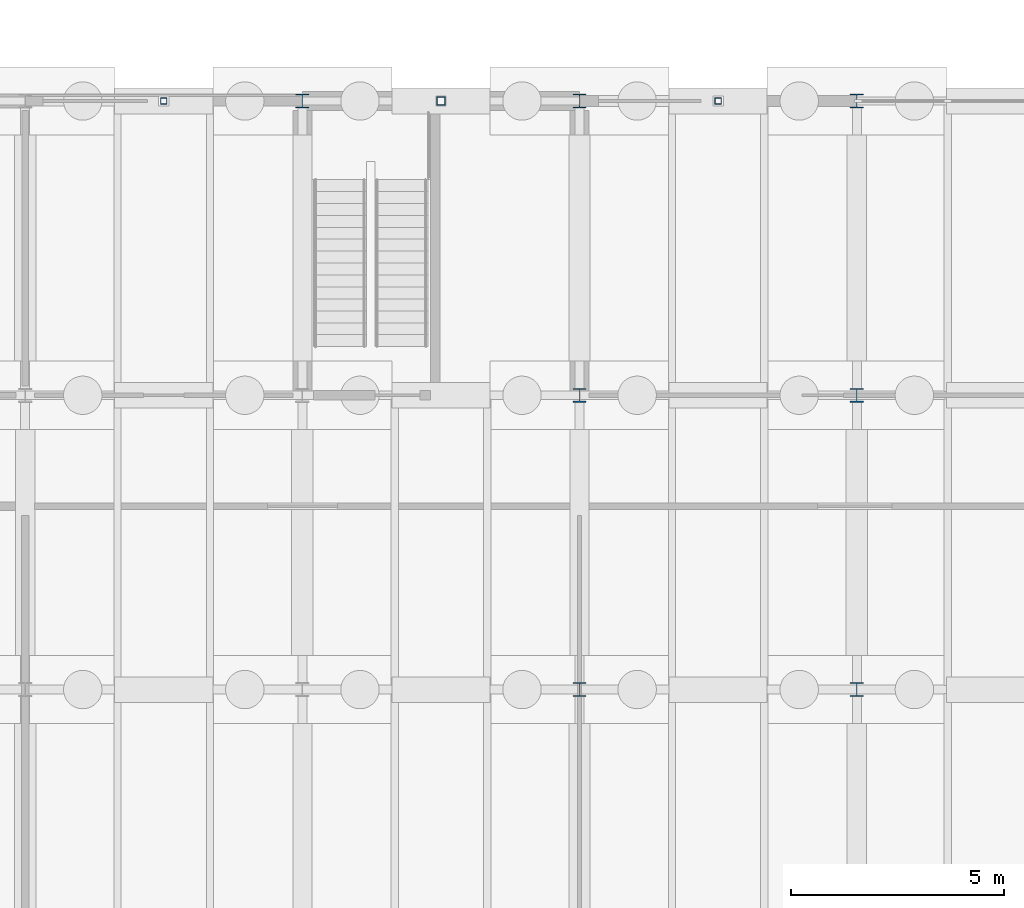
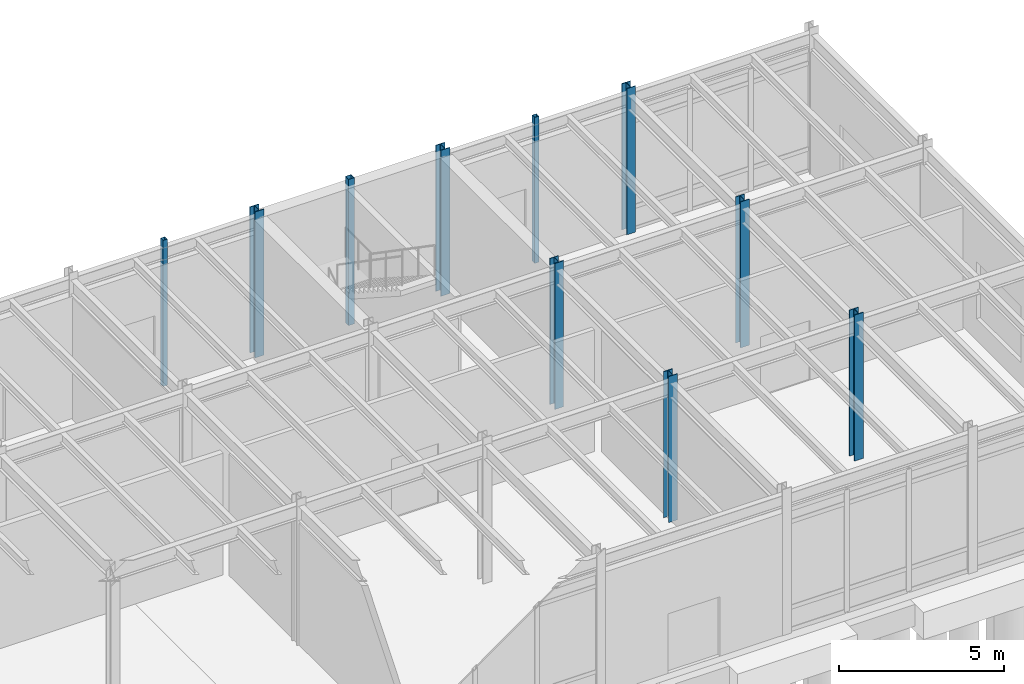
# One storey, part 28 of 82: 10 columns.
"""IFC4 building model written with IfcOpenShell, lengths in metres."""

import ifcopenshell
import ifcopenshell.guid

model = None  # the IFC model being written
_history = None  # IfcOwnerHistory: only IFC2X3 demands one
_inside = {}  # id of a spatial element -> (the spatial element, [elements in it])
_under = {}  # id of a project, library or spatial element -> (it, [spatial elements below it])
_declared = {}  # id of a project -> (the project, [libraries it declares])
_typed = {}  # id of a type object -> (the type object, [elements of that type])
_made_of = {}  # id of a material, layer set ... -> (it, [elements and type objects made of it])


def new_model(schema):
    """Start an empty IFC model of exactly this schema.

    Asked for "IFC4X3", IfcOpenShell would pick the latest addendum, in which some entities
    have other attributes; the version numbers below select the first issue.
    IFC2X3 requires an IfcOwnerHistory on every rooted entity: one is made here for all.
    """
    global model, _history
    if schema == "IFC4X3":
        model = ifcopenshell.file(schema_version=(4, 3, 0, 0))
    else:
        model = ifcopenshell.file(schema=schema)
    _inside.clear()
    _under.clear()
    _declared.clear()
    _typed.clear()
    _made_of.clear()
    _history = None
    if model.schema == "IFC2X3":
        org = make("IfcOrganization", Name="unknown")
        user = make(
            "IfcPersonAndOrganization",
            ThePerson=make("IfcPerson", FamilyName="unknown"),
            TheOrganization=org,
        )
        app = make(
            "IfcApplication",
            ApplicationDeveloper=org,
            Version="unknown",
            ApplicationFullName="unknown",
            ApplicationIdentifier="unknown",
        )
        _history = make(
            "IfcOwnerHistory",
            OwningUser=user,
            OwningApplication=app,
            ChangeAction="ADDED",
            CreationDate=0,
        )
    return model


def make(cls, **values):
    """One entity of the class cls with the attributes given. An attribute that is None is left unset."""
    return model.create_entity(
        cls, **{name: value for name, value in values.items() if value is not None}
    )


def rooted(cls, **values):
    """An entity with a GlobalId (a new one), such as an element, a storey or a relation."""
    return make(cls, GlobalId=ifcopenshell.guid.new(), OwnerHistory=_history, **values)


def si_unit(unit_type, name, prefix=None):
    """IfcSIUnit, for example si_unit("LENGTHUNIT", "METRE", prefix="MILLI")."""
    return make("IfcSIUnit", UnitType=unit_type, Prefix=prefix, Name=name)


def assignment(units):
    """IfcUnitAssignment: the units of a project."""
    return None if units is None else make("IfcUnitAssignment", Units=units)


def point(xyz):
    """IfcCartesianPoint."""
    return None if xyz is None else make("IfcCartesianPoint", Coordinates=xyz)


def direction(xyz):
    """IfcDirection."""
    return None if xyz is None else make("IfcDirection", DirectionRatios=xyz)


def frame(location, z_axis=None, x_axis=None):
    """IfcAxis2Placement3D, a coordinate frame: its origin and axes. An axis left out is left unset."""
    return make(
        "IfcAxis2Placement3D",
        Location=point(location),
        Axis=direction(z_axis),
        RefDirection=direction(x_axis),
    )


def frame_2d(location, x_axis=None):
    """IfcAxis2Placement2D, a coordinate frame in the plane: its origin and x axis."""
    return make(
        "IfcAxis2Placement2D", Location=point(location), RefDirection=direction(x_axis)
    )


def origin():
    """The frame at (0, 0, 0) with its axes left unset."""
    return frame((0.0, 0.0, 0.0))


def origin_2d():
    """The frame at (0, 0) in the plane with its x axis left unset."""
    return frame_2d((0.0, 0.0))


def place(relative_to, where):
    """IfcLocalPlacement: puts the frame where relative to a parent placement (None: the world)."""
    return make(
        "IfcLocalPlacement", PlacementRelTo=relative_to, RelativePlacement=where
    )


def context(
    kind, dimensions, precision=None, world=None, true_north=None, identifier=None
):
    """IfcGeometricRepresentationContext, for example the 3D "Model" context."""
    return make(
        "IfcGeometricRepresentationContext",
        ContextIdentifier=identifier,
        ContextType=kind,
        CoordinateSpaceDimension=dimensions,
        Precision=precision,
        WorldCoordinateSystem=world,
        TrueNorth=true_north,
    )


def subcontext(parent, identifier, kind, view, scale=None):
    """IfcGeometricRepresentationSubContext, for example "Body" below "Model"."""
    return make(
        "IfcGeometricRepresentationSubContext",
        ContextIdentifier=identifier,
        ContextType=kind,
        ParentContext=parent,
        TargetScale=scale,
        TargetView=view,
    )


def project(units=None, contexts=None):
    """IfcProject with its units and contexts."""
    return rooted(
        "IfcProject",
        Name="project",
        RepresentationContexts=contexts,
        UnitsInContext=assignment(units),
    )


def spatial(cls, under=None, at=None, **own):
    """A site, building, storey or space (cls), placed at a placement, below another one or the project."""
    s = rooted(cls, ObjectPlacement=at, **own)
    if under is not None:
        _under.setdefault(under.id(), (under, []))[1].append(s)
    return s


def profile(cls, at=None, kind="AREA", **sizes):
    """A parametric profile (cls). Its sizes go by their IFC names, for example OverallWidth=200.0."""
    return make(cls, ProfileType=kind, Position=at, **sizes)


def hollow_rectangle(**sizes):
    """IfcRectangleHollowProfileDef."""
    return profile("IfcRectangleHollowProfileDef", **sizes)


def i_section(**sizes):
    """IfcIShapeProfileDef."""
    return profile("IfcIShapeProfileDef", **sizes)


def extrude(swept, where, along, depth):
    """IfcExtrudedAreaSolid: the profile swept, set in the frame where, extruded along a direction by depth."""
    return make(
        "IfcExtrudedAreaSolid",
        SweptArea=swept,
        Position=where,
        ExtrudedDirection=direction(along),
        Depth=depth,
    )


def shape(context_of_items, identifier, shape_type, items):
    """IfcShapeRepresentation: the items that make up one representation, for example the "Body"."""
    return make(
        "IfcShapeRepresentation",
        ContextOfItems=context_of_items,
        RepresentationIdentifier=identifier,
        RepresentationType=shape_type,
        Items=items,
    )


def material(Name=None, Category=None):
    """IfcMaterial."""
    return make("IfcMaterial", Name=Name, Category=Category)


def material_profile(
    of_material, cross_section, Name=None, Category=None, Priority=None
):
    """IfcMaterialProfile: a cross section and its material."""
    return make(
        "IfcMaterialProfile",
        Name=Name,
        Material=of_material,
        Profile=cross_section,
        Priority=Priority,
        Category=Category,
    )


def profile_set(profiles, Name=None, composite=None):
    """IfcMaterialProfileSet."""
    return make(
        "IfcMaterialProfileSet",
        Name=Name,
        MaterialProfiles=profiles,
        CompositeProfile=composite,
    )


def made_of(thing, what):
    """Note that an element or type object is made of a material, layer set ...; save() writes the relation."""
    if what is not None:
        _made_of.setdefault(what.id(), (what, []))[1].append(thing)
    return thing


def type_object(cls, material=None, **own):
    """A type object (cls), such as IfcWallType, which elements share."""
    return made_of(rooted(cls, **own), material)


def element(
    cls,
    number,
    at=None,
    inside=None,
    cuts=None,
    type_object=None,
    material=None,
    context=None,
    identifier="Body",
    shape_type=None,
    held_by="IfcProductDefinitionShape",
    body=None,
    shapes=None,
    **own,
):
    """One element of the class cls, such as IfcWall. Its Tag is "e" and its number.

    at: its placement. inside: the storey or other place that contains it. cuts: it is an
    opening in that element (IfcRelVoidsElement). A single representation is given by context,
    identifier, shape_type and body (its items); several are given by shapes. held_by: the class
    of the entity that holds the representations. save() writes the other relations.
    """
    e = rooted(cls, Tag="e%d" % number, ObjectPlacement=at, **own)
    if body is not None:
        shapes = [shape(context, identifier, shape_type, body)]
    if shapes is not None:
        e.Representation = make(held_by, Representations=shapes)
    if inside is not None:
        _inside.setdefault(inside.id(), (inside, []))[1].append(e)
    if cuts is not None:
        rooted(
            "IfcRelVoidsElement", RelatingBuildingElement=cuts, RelatedOpeningElement=e
        )
    if type_object is not None:
        _typed.setdefault(type_object.id(), (type_object, []))[1].append(e)
    return made_of(e, material)


def aggregate(whole, parts):
    """IfcRelAggregates: a whole, such as a stair, and the parts it consists of."""
    return rooted("IfcRelAggregates", RelatingObject=whole, RelatedObjects=parts)


def save(model, path):
    """Write the relations noted so far, then the file.

    IfcRelAggregates (storeys below a building ...), IfcRelContainedInSpatialStructure (elements
    in a storey), IfcRelDefinesByType, IfcRelAssociatesMaterial and IfcRelDeclares: one each for
    every whole, place, type object, material and project.
    """
    for whole, parts in _under.values():
        aggregate(whole, parts)
    for where, things in _inside.values():
        rooted(
            "IfcRelContainedInSpatialStructure",
            RelatedElements=things,
            RelatingStructure=where,
        )
    for kind, things in _typed.values():
        rooted("IfcRelDefinesByType", RelatedObjects=things, RelatingType=kind)
    for what, things in _made_of.values():
        rooted("IfcRelAssociatesMaterial", RelatedObjects=things, RelatingMaterial=what)
    for by, libraries in _declared.values():
        rooted("IfcRelDeclares", RelatingContext=by, RelatedDefinitions=libraries)
    model.write(path)


model = new_model("IFC4")

# Units and contexts
model_context = context("Model", 3, precision=1e-05, world=origin(), true_north=direction((0.0, 1.0)))
body_context = subcontext(model_context, "Body", "Model", "MODEL_VIEW")
ifc_project = project(units=[si_unit("LENGTHUNIT", "METRE"), si_unit("AREAUNIT", "SQUARE_METRE"), si_unit("VOLUMEUNIT", "CUBIC_METRE"), si_unit("PLANEANGLEUNIT", "RADIAN"), si_unit("MASSUNIT", "GRAM", prefix="KILO")], contexts=[model_context])

# Site, building, storey
site_placement = place(None, origin())
site = spatial("IfcSite", under=ifc_project, at=site_placement, CompositionType="ELEMENT")
building_placement = place(site_placement, origin())
building = spatial("IfcBuilding", under=site, at=building_placement, Name="Trelmorton Wharf Fire Station", CompositionType="ELEMENT")
storey_placement = place(building_placement, origin())
storey = spatial("IfcBuildingStorey", under=building, at=storey_placement, Name="L00", CompositionType="ELEMENT", Elevation=0.0)

# Columns
ifc_material_1 = material(Name="Steel Grade 350", Category="steel")
ifc_material_profile_1 = material_profile(ifc_material_1, i_section(OverallWidth=0.31103515625, OverallDepth=0.326904296875, WebThickness=0.015625, FlangeThickness=0.02490234375, FilletRadius=0.0166015625, at=origin_2d()), Name="310UC158")
ifc_profile_set_1 = profile_set([ifc_material_profile_1], Name="Steel Grade 350")
column_type_1 = type_object("IfcColumnType", Name="COL_310UC158", PredefinedType="COLUMN", material=ifc_profile_set_1)
for number, where, z_axis, x_axis, name in (
    (1, (143.0, 81.0, 0.0), (0.0, 0.0, 1.0), (1.0, 0.0, 0.0), "COL-L00-0218"),
    (2, (149.5, 67.199951171875, 0.0), (0.0, 0.0, 1.0), (1.0, 0.0, 0.0), "COL-L00-0225"),
    (3, (149.5, 74.10009765625, 0.0), (0.0, 0.0, 1.0), (1.0, 0.0, 0.0), "COL-L00-0226"),
    (4, (149.5, 81.0, 0.0), (0.0, 0.0, 1.0), (1.0, 0.0, 0.0), "COL-L00-0227"),
    (5, (156.0, 67.199951171875, 0.0), (0.0, 0.0, 1.0), (1.0, 0.0, 0.0), "COL-L00-0234"),
    (6, (156.0, 74.10009765625, 0.0), (0.0, 0.0, 1.0), (1.0, 0.0, 0.0), "COL-L00-0235"),
    (7, (156.0, 81.0, 0.0), (0.0, 0.0, 1.0), (1.0, 0.0, 0.0), "COL-L00-0236"),
):
    element("IfcColumn", number, at=place(storey_placement, frame(where, z_axis=z_axis, x_axis=x_axis)), inside=storey, type_object=column_type_1, Name=name, PredefinedType="COLUMN", context=body_context, shape_type="SweptSolid", body=[
        extrude(i_section(OverallWidth=0.31103515625, OverallDepth=0.326904296875, WebThickness=0.015625, FlangeThickness=0.02490234375, FilletRadius=0.0166015625, at=origin_2d()), origin(), (0.0, 0.0, 1.0), 5.39990234375),
    ])
ifc_material_2 = material(Name="Steel C350L0 (350 MPa)", Category="steel")
ifc_material_profile_2 = material_profile(ifc_material_2, hollow_rectangle(XDim=0.14990234375, YDim=0.14990234375, WallThickness=0.009033203125, at=origin_2d()), Name="150x150x9.0SHS")
ifc_profile_set_2 = profile_set([ifc_material_profile_2], Name="Steel C350L0 (350 MPa)")
column_type_2 = type_object("IfcColumnType", Name="PIL_150SHS", PredefinedType="PILASTER", material=ifc_profile_set_2)
for number, where, z_axis, x_axis, name in (
    (8, (139.75, 81.0, 0.0), (0.0, 0.0, 1.0), (1.0, 0.0, 0.0), "PIL-N-L00-025"),
    (9, (152.75, 81.0, 0.0), (0.0, 0.0, 1.0), (1.0, 0.0, 0.0), "PIL-N-L00-036"),
):
    element("IfcColumn", number, at=place(storey_placement, frame(where, z_axis=z_axis, x_axis=x_axis)), inside=storey, type_object=column_type_2, Name=name, PredefinedType="PILASTER", context=body_context, shape_type="SweptSolid", body=[
        extrude(hollow_rectangle(XDim=0.14990234375, YDim=0.14990234375, WallThickness=0.009033203125, at=origin_2d()), origin(), (0.0, 0.0, 1.0), 5.39990234375),
    ])
ifc_material_profile_3 = material_profile(ifc_material_2, hollow_rectangle(XDim=0.199951171875, YDim=0.199951171875, WallThickness=0.010009765625, at=origin_2d()), Name="200x200x10.0SHS")
ifc_profile_set_3 = profile_set([ifc_material_profile_3], Name="Steel C350L0 (350 MPa)")
column_type_3 = type_object("IfcColumnType", Name="PIL_200SHS", PredefinedType="PILASTER", material=ifc_profile_set_3)
column_placement = place(storey_placement, frame((146.25, 81.0, 0.0), z_axis=(0.0, 0.0, 1.0), x_axis=(1.0, 0.0, 0.0)))
element("IfcColumn", 10, at=column_placement, inside=storey, type_object=column_type_3, Name="PIL-N-L00-033", PredefinedType="PILASTER", context=body_context, shape_type="SweptSolid", body=[
    extrude(hollow_rectangle(XDim=0.199951171875, YDim=0.199951171875, WallThickness=0.010009765625, at=origin_2d()), origin(), (0.0, 0.0, 1.0), 5.39990234375),
])

save(model, "model.ifc")
